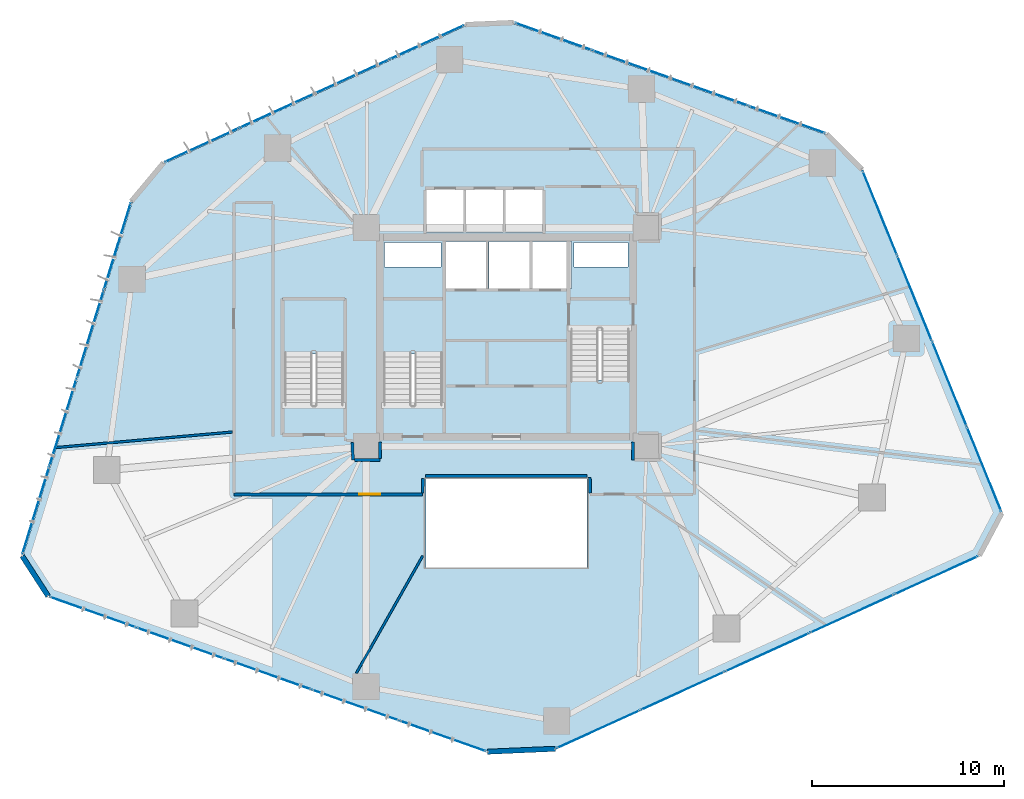
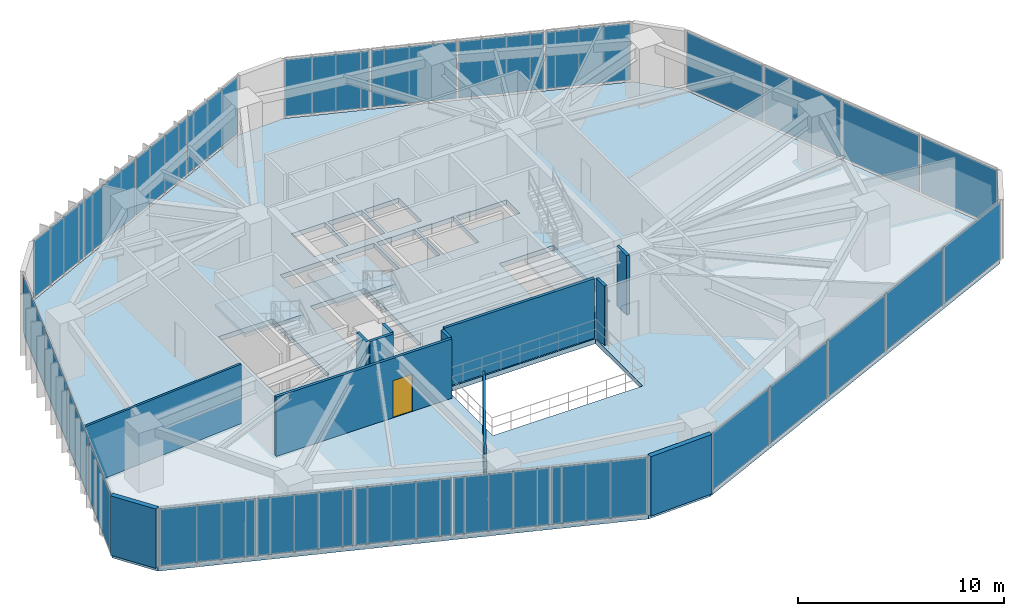
# One storey, part 18 of 24: 26 plates, 12 walls, 4 slabs, 1 door, 1 opening, 9 elements without a shape of their own.
"""IFC4 building model written with IfcOpenShell, lengths in metres."""

from ifc_helpers import new_model, si_unit, direction, frame, frame_2d, origin, origin_2d, place, context, subcontext, project, spatial, polyline, rectangle, outline, extrude, source, transform, mapped, material, layer, layer_set, type_object, type_shapes, element, fill, aggregate, save


model = new_model("IFC4")

# Units and contexts
model_context = context("Model", 3, precision=1e-05, world=origin(), true_north=direction((0.0, 1.0)))
body_context = subcontext(model_context, "Body", "Model", "MODEL_VIEW")
ifc_project = project(units=[si_unit("LENGTHUNIT", "METRE"), si_unit("AREAUNIT", "SQUARE_METRE"), si_unit("VOLUMEUNIT", "CUBIC_METRE"), si_unit("PLANEANGLEUNIT", "RADIAN"), si_unit("MASSUNIT", "GRAM", prefix="KILO")], contexts=[model_context])

# Site, building, storey
site_placement = place(None, origin())
site = spatial("IfcSite", under=ifc_project, at=site_placement, CompositionType="ELEMENT")
building_placement = place(site_placement, origin())
building = spatial("IfcBuilding", under=site, at=building_placement, Name="Talar Marvaseh", CompositionType="ELEMENT")
storey_placement = place(building_placement, frame((0.0, 0.0, 31.60009765625)))
storey = spatial("IfcBuildingStorey", under=building, at=storey_placement, Name="L07", CompositionType="ELEMENT", Elevation=31.60009765625)

# Stair, slab
ifc_material_1 = material(Name="Concrete C40/50", Category="concrete")
stair_type = type_object("IfcStairType", Name="Reinforced Concrete Half-Turn Exit Stair Type B", PredefinedType="HALF_TURN_STAIR", material=ifc_material_1)
stair_1_placement = place(storey_placement, origin())
stair_1 = element("IfcStair", 1, at=stair_1_placement, inside=storey, type_object=stair_type, Name="L07 Tower West Core Exit Stair", PredefinedType="HALF_TURN_STAIR")
ifc_layer_1 = layer(ifc_material_1, 0.199951171875)
ifc_layer_set_1 = layer_set([ifc_layer_1], Name="Concrete C40/50")
slab_type_1 = type_object("IfcSlabType", Name="Reinforced Concrete Stair Half-Landing Slab 200", PredefinedType="LANDING", material=ifc_layer_set_1)
slab_1_placement = place(storey_placement, frame((0.0, 0.0, 1.699951171875)))
slab_1 = element("IfcSlab", 2, at=slab_1_placement, type_object=slab_type_1, Name="ST-1 landing 1", PredefinedType="LANDING", context=body_context, shape_type="SweptSolid", body=[
    extrude(outline(polyline([(22.780029296875, 30.330078125), (22.780029296875, 33.219970703125), (19.47998046875, 33.219970703125), (19.47998046875, 30.330078125), (22.780029296875, 30.330078125)])), origin(), (0.0, 0.0, 1.0), 0.199951171875),
])
aggregate(stair_1, [slab_1])

stair_2_placement = place(storey_placement, origin())
stair_2 = element("IfcStair", 3, at=stair_2_placement, inside=storey, type_object=stair_type, Name="L07 Tower East Core Exit Stair", PredefinedType="HALF_TURN_STAIR")
slab_2_placement = place(storey_placement, frame((0.0, 0.0, 1.699951171875)))
slab_2 = element("IfcSlab", 4, at=slab_2_placement, type_object=slab_type_1, Name="ST-2 landing 1", PredefinedType="LANDING", context=body_context, shape_type="SweptSolid", body=[
    extrude(outline(polyline([(29.219970703125, 28.969970703125), (29.219970703125, 26.080078125), (32.52001953125, 26.080078125), (32.52001953125, 28.969970703125), (29.219970703125, 28.969970703125)])), origin(), (0.0, 0.0, 1.0), 0.199951171875),
])
aggregate(stair_2, [slab_2])

stair_3_placement = place(storey_placement, origin())
stair_3 = element("IfcStair", 5, at=stair_3_placement, inside=storey, type_object=stair_type, Name="L07 Museum & Podium Auxiliary Exit Stair", PredefinedType="HALF_TURN_STAIR")
slab_3_placement = place(storey_placement, frame((0.0, 0.0, 1.699951171875)))
slab_3 = element("IfcSlab", 6, at=slab_3_placement, type_object=slab_type_1, Name="ST-3 landing 1", PredefinedType="LANDING", context=body_context, shape_type="SweptSolid", body=[
    extrude(outline(polyline([(17.6201171875, 30.330078125), (17.6201171875, 33.219970703125), (14.320068359375, 33.219970703125), (14.320068359375, 30.330078125), (17.6201171875, 30.330078125)])), origin(), (0.0, 0.0, 1.0), 0.199951171875),
])
aggregate(stair_3, [slab_3])

# Slab
ifc_layer_2 = layer(ifc_material_1, 0.280029296875)
ifc_layer_set_2 = layer_set([ifc_layer_2], Name="Concrete C40/50")
slab_type_2 = type_object("IfcSlabType", Name="Structural Suspended Floor Slab 280", PredefinedType="FLOOR", material=ifc_layer_set_2)
slab_4_placement = place(storey_placement, frame((0.0, 0.0, -0.280029296875)))
element("IfcSlab", 7, at=slab_4_placement, inside=storey, type_object=slab_type_2, Name="L07 Tower Floor Slab", PredefinedType="FLOOR", context=body_context, shape_type="SweptSolid", body=[
    extrude(outline(polyline([(2.171142578125, 17.7373046875), (0.82080078125, 19.822509765625), (6.50341796875, 38.231689453125), (8.18505859375, 40.2451171875), (23.87109375, 47.416015625), (26.385009765625, 47.52587890625), (42.63623046875, 41.749267578125), (44.487060546875, 39.89013671875), (51.75244140625, 22.046142578125), (50.589111328125, 19.851318359375), (28.5419921875, 9.80810546875), (25.009521484375, 9.65380859375), (2.171142578125, 17.7373046875)]), holes=[polyline([(22.659912109375, 27.64990234375), (22.659912109375, 33.10009765625), (19.60009765625, 33.10009765625), (19.60009765625, 27.64990234375), (22.659912109375, 27.64990234375)]), polyline([(29.340087890625, 31.64990234375), (29.340087890625, 26.199951171875), (32.39990234375, 26.199951171875), (32.39990234375, 31.64990234375), (29.340087890625, 31.64990234375)]), polyline([(17.5, 27.64990234375), (17.5, 33.10009765625), (14.43994140625, 33.10009765625), (14.43994140625, 27.64990234375), (17.5, 27.64990234375)]), polyline([(22.800048828125, 33.719970703125), (24.93994140625, 33.719970703125), (24.93994140625, 36.179931640625), (22.800048828125, 36.179931640625), (22.800048828125, 33.719970703125)]), polyline([(25.080078125, 33.719970703125), (27.219970703125, 33.719970703125), (27.219970703125, 36.179931640625), (25.080078125, 36.179931640625), (25.080078125, 33.719970703125)]), polyline([(27.360107421875, 33.719970703125), (29.39990234375, 33.719970703125), (29.39990234375, 36.179931640625), (27.360107421875, 36.179931640625), (27.360107421875, 33.719970703125)]), polyline([(21.840087890625, 36.659912109375), (23.760009765625, 36.659912109375), (23.760009765625, 38.8798828125), (21.840087890625, 38.8798828125), (21.840087890625, 36.659912109375)]), polyline([(23.89990234375, 36.659912109375), (25.820068359375, 36.659912109375), (25.820068359375, 38.8798828125), (23.89990234375, 38.8798828125), (23.89990234375, 36.659912109375)]), polyline([(25.9599609375, 36.659912109375), (27.8798828125, 36.659912109375), (27.8798828125, 38.8798828125), (25.9599609375, 38.8798828125), (25.9599609375, 36.659912109375)]), polyline([(19.659912109375, 34.840087890625), (22.60009765625, 34.840087890625), (22.60009765625, 36.139892578125), (19.659912109375, 36.139892578125), (19.659912109375, 34.840087890625)]), polyline([(29.52001953125, 34.840087890625), (32.340087890625, 34.840087890625), (32.340087890625, 36.139892578125), (29.52001953125, 36.139892578125), (29.52001953125, 34.840087890625)]), polyline([(21.800048828125, 19.199951171875), (30.199951171875, 19.199951171875), (30.199951171875, 23.800048828125), (21.800048828125, 23.800048828125), (21.800048828125, 19.199951171875)])]), origin(), (0.0, 0.0, 1.0), 0.280029296875),
])

# Curtain wall, plates
ifc_material_2 = material(Name="Architectural Aluminium", Category="aluminium")
ifc_layer_3 = layer(ifc_material_2, 0.219970703125)
ifc_layer_set_3 = layer_set([ifc_layer_3], Name="Architectural Aluminium")
curtain_wall_type = type_object("IfcCurtainWallType", Name="Unitised Low-E Museum Curtain Wall Z1", PredefinedType="NOTDEFINED", material=ifc_layer_set_3)
curtain_wall_1_placement = place(storey_placement, origin())
curtain_wall_1 = element("IfcCurtainWall", 8, at=curtain_wall_1_placement, inside=storey, type_object=curtain_wall_type, Name="L07 Unitised Low-E Museum Curtain Wall Z1", PredefinedType="NOTDEFINED")
ifc_material_3 = material(Name="Laminated Low-E Solar Glass", Category="glass")
ifc_layer_4 = layer(ifc_material_3, 0.028076171875)
ifc_layer_set_4 = layer_set([ifc_layer_4], Name="Laminated Low-E Solar Glass")
plate_type = type_object("IfcPlateType", Name="Double-Glazed Low-E Vision Curtain Panel 28", PredefinedType="CURTAIN_PANEL", material=ifc_layer_set_4)
shared_shape_1 = source(origin(), body_context, "Body", "SweptSolid", [
    extrude(rectangle(XDim=4.696533203125, YDim=0.028076171875, at=origin_2d()), origin(), (0.0, 0.0, 1.0), 3.3701171875),
])
plate_1_placement = place(storey_placement, frame((1.479736328125, 22.160400390625, 0.074951171875), z_axis=(0.0, 0.0, 1.0), x_axis=(0.294937738677, 0.955516473068, 0.0)))
plate_1 = element("IfcPlate", 9, at=plate_1_placement, type_object=plate_type, Name="CW-Z1 panel 1.1", PredefinedType="CURTAIN_PANEL", context=body_context, shape_type="MappedRepresentation", body=[
    mapped(shared_shape_1, transform((0.0, 0.0, 0.0), x_axis=(1.0, 0.0, 0.0), y_axis=(0.0, 1.0, 0.0), z_axis=(0.0, 0.0, 1.0), scale=1.0)),
])
plate_2_placement = place(storey_placement, frame((5.729736328125, 35.92919921875, 0.074951171875), z_axis=(0.0, 0.0, 1.0), x_axis=(0.294937738677, 0.955516473068, 0.0)))
plate_2 = element("IfcPlate", 10, at=plate_2_placement, type_object=plate_type, Name="CW-Z1 panel 4.1", PredefinedType="CURTAIN_PANEL", context=body_context, shape_type="MappedRepresentation", body=[
    mapped(shared_shape_1, transform((0.0, 0.0, 0.0), x_axis=(1.0, 0.0, 0.0), y_axis=(0.0, 1.0, 0.0), z_axis=(0.0, 0.0, 1.0), scale=1.0)),
])

curtain_wall_2_placement = place(storey_placement, origin())
curtain_wall_2 = element("IfcCurtainWall", 11, at=curtain_wall_2_placement, inside=storey, type_object=curtain_wall_type, Name="L07 Unitised Low-E Museum Curtain Wall Z1", PredefinedType="NOTDEFINED")
plate_3_placement = place(storey_placement, frame((45.45849609375, 37.663818359375, 0.074951171875), z_axis=(0.0, 0.0, 1.0), x_axis=(0.377095736428, -0.926174284661, 0.0)))
plate_3 = element("IfcPlate", 12, at=plate_3_placement, type_object=plate_type, Name="CW-Z1 panel 1.1", PredefinedType="CURTAIN_PANEL", context=body_context, shape_type="MappedRepresentation", body=[
    mapped(shared_shape_1, transform((0.0, 0.0, 0.0), x_axis=(1.0, 0.0, 0.0), y_axis=(0.0, 1.0, 0.0), z_axis=(0.0, 0.0, 1.0), scale=1.0)),
])
plate_4_placement = place(storey_placement, frame((50.892333984375, 24.317626953125, 0.074951171875), z_axis=(0.0, 0.0, 1.0), x_axis=(0.377095736428, -0.926174284661, 0.0)))
plate_4 = element("IfcPlate", 13, at=plate_4_placement, type_object=plate_type, Name="CW-Z1 panel 4.1", PredefinedType="CURTAIN_PANEL", context=body_context, shape_type="MappedRepresentation", body=[
    mapped(shared_shape_1, transform((0.0, 0.0, 0.0), x_axis=(1.0, 0.0, 0.0), y_axis=(0.0, 1.0, 0.0), z_axis=(0.0, 0.0, 1.0), scale=1.0)),
])

# Plate
shared_shape_2 = source(origin(), body_context, "Body", "SweptSolid", [
    extrude(rectangle(XDim=4.736572265625, YDim=0.028076171875, at=origin_2d()), origin(), (0.0, 0.0, 1.0), 3.3701171875),
])
plate_5_placement = place(storey_placement, frame((2.89453125, 26.74365234375, 0.074951171875), z_axis=(0.0, 0.0, 1.0), x_axis=(0.294937738677, 0.955516473068, 0.0)))
plate_5 = element("IfcPlate", 14, at=plate_5_placement, type_object=plate_type, Name="CW-Z1 panel 2.1", PredefinedType="CURTAIN_PANEL", context=body_context, shape_type="MappedRepresentation", body=[
    mapped(shared_shape_2, transform((0.0, 0.0, 0.0), x_axis=(1.0, 0.0, 0.0), y_axis=(0.0, 1.0, 0.0), z_axis=(0.0, 0.0, 1.0), scale=1.0)),
])

plate_6_placement = place(storey_placement, frame((4.315185546875, 31.345947265625, 0.074951171875), z_axis=(0.0, 0.0, 1.0), x_axis=(0.294937738677, 0.955516473068, 0.0)))
plate_6 = element("IfcPlate", 15, at=plate_6_placement, type_object=plate_type, Name="CW-Z1 panel 3.1", PredefinedType="CURTAIN_PANEL", context=body_context, shape_type="MappedRepresentation", body=[
    mapped(shared_shape_2, transform((0.0, 0.0, 0.0), x_axis=(1.0, 0.0, 0.0), y_axis=(0.0, 1.0, 0.0), z_axis=(0.0, 0.0, 1.0), scale=1.0)),
])

aggregate(curtain_wall_1, [plate_1, plate_5, plate_6, plate_2])

plate_7_placement = place(storey_placement, frame((47.26708984375, 33.22119140625, 0.074951171875), z_axis=(0.0, 0.0, 1.0), x_axis=(0.377095736428, -0.926174284661, 0.0)))
plate_7 = element("IfcPlate", 16, at=plate_7_placement, type_object=plate_type, Name="CW-Z1 panel 2.1", PredefinedType="CURTAIN_PANEL", context=body_context, shape_type="MappedRepresentation", body=[
    mapped(shared_shape_2, transform((0.0, 0.0, 0.0), x_axis=(1.0, 0.0, 0.0), y_axis=(0.0, 1.0, 0.0), z_axis=(0.0, 0.0, 1.0), scale=1.0)),
])

plate_8_placement = place(storey_placement, frame((49.08349609375, 28.76025390625, 0.074951171875), z_axis=(0.0, 0.0, 1.0), x_axis=(0.377095736428, -0.926174284661, 0.0)))
plate_8 = element("IfcPlate", 17, at=plate_8_placement, type_object=plate_type, Name="CW-Z1 panel 3.1", PredefinedType="CURTAIN_PANEL", context=body_context, shape_type="MappedRepresentation", body=[
    mapped(shared_shape_2, transform((0.0, 0.0, 0.0), x_axis=(1.0, 0.0, 0.0), y_axis=(0.0, 1.0, 0.0), z_axis=(0.0, 0.0, 1.0), scale=1.0)),
])

aggregate(curtain_wall_2, [plate_3, plate_7, plate_8, plate_4])

# Curtain wall, plates
curtain_wall_3_placement = place(storey_placement, origin())
curtain_wall_3 = element("IfcCurtainWall", 18, at=curtain_wall_3_placement, inside=storey, type_object=curtain_wall_type, Name="L07 Unitised Low-E Museum Curtain Wall Z1", PredefinedType="NOTDEFINED")
shared_shape_3 = source(origin(), body_context, "Body", "SweptSolid", [
    extrude(rectangle(XDim=4.19189453125, YDim=0.028076171875, at=origin_2d()), origin(), (0.0, 0.0, 1.0), 3.3701171875),
])
plate_9_placement = place(storey_placement, frame((10.13916015625, 41.204345703125, 0.074951171875), z_axis=(0.0, 0.0, 1.0), x_axis=(0.909469840313, 0.415769899778, 0.0)))
plate_9 = element("IfcPlate", 19, at=plate_9_placement, type_object=plate_type, Name="CW-Z1 panel 1.1", PredefinedType="CURTAIN_PANEL", context=body_context, shape_type="MappedRepresentation", body=[
    mapped(shared_shape_3, transform((0.0, 0.0, 0.0), x_axis=(1.0, 0.0, 0.0), y_axis=(0.0, 1.0, 0.0), z_axis=(0.0, 0.0, 1.0), scale=1.0)),
])
plate_10_placement = place(storey_placement, frame((21.867431640625, 46.56591796875, 0.074951171875), z_axis=(0.0, 0.0, 1.0), x_axis=(0.909469840313, 0.415769899778, 0.0)))
plate_10 = element("IfcPlate", 20, at=plate_10_placement, type_object=plate_type, Name="CW-Z1 panel 4.1", PredefinedType="CURTAIN_PANEL", context=body_context, shape_type="MappedRepresentation", body=[
    mapped(shared_shape_3, transform((0.0, 0.0, 0.0), x_axis=(1.0, 0.0, 0.0), y_axis=(0.0, 1.0, 0.0), z_axis=(0.0, 0.0, 1.0), scale=1.0)),
])

curtain_wall_4_placement = place(storey_placement, origin())
curtain_wall_4 = element("IfcCurtainWall", 21, at=curtain_wall_4_placement, inside=storey, type_object=curtain_wall_type, Name="L07 Unitised Low-E Museum Curtain Wall Z1", PredefinedType="NOTDEFINED")
plate_11_placement = place(storey_placement, frame((28.455322265625, 46.853515625, 0.074951171875), z_axis=(0.0, 0.0, 1.0), x_axis=(0.942245351069, -0.334923421678, 0.0)))
plate_11 = element("IfcPlate", 22, at=plate_11_placement, type_object=plate_type, Name="CW-Z1 panel 1.1", PredefinedType="CURTAIN_PANEL", context=body_context, shape_type="MappedRepresentation", body=[
    mapped(shared_shape_3, transform((0.0, 0.0, 0.0), x_axis=(1.0, 0.0, 0.0), y_axis=(0.0, 1.0, 0.0), z_axis=(0.0, 0.0, 1.0), scale=1.0)),
])
plate_12_placement = place(storey_placement, frame((40.606201171875, 42.534423828125, 0.074951171875), z_axis=(0.0, 0.0, 1.0), x_axis=(0.942245351069, -0.334923421678, 0.0)))
plate_12 = element("IfcPlate", 23, at=plate_12_placement, type_object=plate_type, Name="CW-Z1 panel 4.1", PredefinedType="CURTAIN_PANEL", context=body_context, shape_type="MappedRepresentation", body=[
    mapped(shared_shape_3, transform((0.0, 0.0, 0.0), x_axis=(1.0, 0.0, 0.0), y_axis=(0.0, 1.0, 0.0), z_axis=(0.0, 0.0, 1.0), scale=1.0)),
])

# Plate
shared_shape_4 = source(origin(), body_context, "Body", "SweptSolid", [
    extrude(rectangle(XDim=4.23193359375, YDim=0.028076171875, at=origin_2d()), origin(), (0.0, 0.0, 1.0), 3.3701171875),
])
plate_13_placement = place(storey_placement, frame((14.04248046875, 42.98876953125, 0.074951171875), z_axis=(0.0, 0.0, 1.0), x_axis=(0.909469840313, 0.415769899778, 0.0)))
plate_13 = element("IfcPlate", 24, at=plate_13_placement, type_object=plate_type, Name="CW-Z1 panel 2.1", PredefinedType="CURTAIN_PANEL", context=body_context, shape_type="MappedRepresentation", body=[
    mapped(shared_shape_4, transform((0.0, 0.0, 0.0), x_axis=(1.0, 0.0, 0.0), y_axis=(0.0, 1.0, 0.0), z_axis=(0.0, 0.0, 1.0), scale=1.0)),
])

plate_14_placement = place(storey_placement, frame((17.964111328125, 44.781494140625, 0.074951171875), z_axis=(0.0, 0.0, 1.0), x_axis=(0.909469840313, 0.415769899778, 0.0)))
plate_14 = element("IfcPlate", 25, at=plate_14_placement, type_object=plate_type, Name="CW-Z1 panel 3.1", PredefinedType="CURTAIN_PANEL", context=body_context, shape_type="MappedRepresentation", body=[
    mapped(shared_shape_4, transform((0.0, 0.0, 0.0), x_axis=(1.0, 0.0, 0.0), y_axis=(0.0, 1.0, 0.0), z_axis=(0.0, 0.0, 1.0), scale=1.0)),
])

aggregate(curtain_wall_3, [plate_9, plate_13, plate_14, plate_10])

plate_15_placement = place(storey_placement, frame((32.499267578125, 45.416015625, 0.074951171875), z_axis=(0.0, 0.0, 1.0), x_axis=(0.942245351069, -0.334923421678, 0.0)))
plate_15 = element("IfcPlate", 26, at=plate_15_placement, type_object=plate_type, Name="CW-Z1 panel 2.1", PredefinedType="CURTAIN_PANEL", context=body_context, shape_type="MappedRepresentation", body=[
    mapped(shared_shape_4, transform((0.0, 0.0, 0.0), x_axis=(1.0, 0.0, 0.0), y_axis=(0.0, 1.0, 0.0), z_axis=(0.0, 0.0, 1.0), scale=1.0)),
])

plate_16_placement = place(storey_placement, frame((36.56201171875, 43.971923828125, 0.074951171875), z_axis=(0.0, 0.0, 1.0), x_axis=(0.942245351069, -0.334923421678, 0.0)))
plate_16 = element("IfcPlate", 27, at=plate_16_placement, type_object=plate_type, Name="CW-Z1 panel 3.1", PredefinedType="CURTAIN_PANEL", context=body_context, shape_type="MappedRepresentation", body=[
    mapped(shared_shape_4, transform((0.0, 0.0, 0.0), x_axis=(1.0, 0.0, 0.0), y_axis=(0.0, 1.0, 0.0), z_axis=(0.0, 0.0, 1.0), scale=1.0)),
])

aggregate(curtain_wall_4, [plate_11, plate_15, plate_16, plate_12])

# Curtain wall, plates
curtain_wall_5_placement = place(storey_placement, origin())
curtain_wall_5 = element("IfcCurtainWall", 28, at=curtain_wall_5_placement, inside=storey, type_object=curtain_wall_type, Name="L07 Unitised Low-E Museum Curtain Wall Z1", PredefinedType="NOTDEFINED")
shared_shape_5 = source(origin(), body_context, "Body", "SweptSolid", [
    extrude(rectangle(XDim=4.725341796875, YDim=0.028076171875, at=origin_2d()), origin(), (0.0, 0.0, 1.0), 3.3701171875),
])
plate_17_placement = place(storey_placement, frame((48.39111328125, 18.7841796875, 0.074951171875), z_axis=(0.0, 0.0, 1.0), x_axis=(-0.910024361486, -0.414554775033, 0.0)))
plate_17 = element("IfcPlate", 29, at=plate_17_placement, type_object=plate_type, Name="CW-Z1 panel 1.1", PredefinedType="CURTAIN_PANEL", context=body_context, shape_type="MappedRepresentation", body=[
    mapped(shared_shape_5, transform((0.0, 0.0, 0.0), x_axis=(1.0, 0.0, 0.0), y_axis=(0.0, 1.0, 0.0), z_axis=(0.0, 0.0, 1.0), scale=1.0)),
])
plate_18_placement = place(storey_placement, frame((30.789794921875, 10.76611328125, 0.074951171875), z_axis=(0.0, 0.0, 1.0), x_axis=(-0.910024361486, -0.414554775033, 0.0)))
plate_18 = element("IfcPlate", 30, at=plate_18_placement, type_object=plate_type, Name="CW-Z1 panel 5.1", PredefinedType="CURTAIN_PANEL", context=body_context, shape_type="MappedRepresentation", body=[
    mapped(shared_shape_5, transform((0.0, 0.0, 0.0), x_axis=(1.0, 0.0, 0.0), y_axis=(0.0, 1.0, 0.0), z_axis=(0.0, 0.0, 1.0), scale=1.0)),
])

curtain_wall_6_placement = place(storey_placement, origin())
curtain_wall_6 = element("IfcCurtainWall", 31, at=curtain_wall_6_placement, inside=storey, type_object=curtain_wall_type, Name="L07 Unitised Low-E Museum Curtain Wall Z1", PredefinedType="NOTDEFINED")
plate_19_placement = place(storey_placement, frame((22.686767578125, 10.412109375, 0.074951171875), z_axis=(0.0, 0.0, 1.0), x_axis=(-0.942692993526, 0.333661385174, 0.0)))
plate_19 = element("IfcPlate", 32, at=plate_19_placement, type_object=plate_type, Name="CW-Z1 panel 1.1", PredefinedType="CURTAIN_PANEL", context=body_context, shape_type="MappedRepresentation", body=[
    mapped(shared_shape_5, transform((0.0, 0.0, 0.0), x_axis=(1.0, 0.0, 0.0), y_axis=(0.0, 1.0, 0.0), z_axis=(0.0, 0.0, 1.0), scale=1.0)),
])
plate_20_placement = place(storey_placement, frame((4.453857421875, 16.86572265625, 0.074951171875), z_axis=(0.0, 0.0, 1.0), x_axis=(-0.942692993526, 0.333661385174, 0.0)))
plate_20 = element("IfcPlate", 33, at=plate_20_placement, type_object=plate_type, Name="CW-Z1 panel 5.1", PredefinedType="CURTAIN_PANEL", context=body_context, shape_type="MappedRepresentation", body=[
    mapped(shared_shape_5, transform((0.0, 0.0, 0.0), x_axis=(1.0, 0.0, 0.0), y_axis=(0.0, 1.0, 0.0), z_axis=(0.0, 0.0, 1.0), scale=1.0)),
])

# Plate
shared_shape_6 = source(origin(), body_context, "Body", "SweptSolid", [
    extrude(rectangle(XDim=4.765380859375, YDim=0.028076171875, at=origin_2d()), origin(), (0.0, 0.0, 1.0), 3.3701171875),
])
type_shapes(plate_type, [shared_shape_1, shared_shape_2, shared_shape_3, shared_shape_4, shared_shape_5, shared_shape_6])
plate_21_placement = place(storey_placement, frame((43.999755859375, 16.78369140625, 0.074951171875), z_axis=(0.0, 0.0, 1.0), x_axis=(-0.910024361486, -0.414554775033, 0.0)))
plate_21 = element("IfcPlate", 34, at=plate_21_placement, type_object=plate_type, Name="CW-Z1 panel 2.1", PredefinedType="CURTAIN_PANEL", context=body_context, shape_type="MappedRepresentation", body=[
    mapped(shared_shape_6, transform((0.0, 0.0, 0.0), x_axis=(1.0, 0.0, 0.0), y_axis=(0.0, 1.0, 0.0), z_axis=(0.0, 0.0, 1.0), scale=1.0)),
])

plate_22_placement = place(storey_placement, frame((39.59033203125, 14.775146484375, 0.074951171875), z_axis=(0.0, 0.0, 1.0), x_axis=(-0.910024361486, -0.414554775033, 0.0)))
plate_22 = element("IfcPlate", 35, at=plate_22_placement, type_object=plate_type, Name="CW-Z1 panel 3.1", PredefinedType="CURTAIN_PANEL", context=body_context, shape_type="MappedRepresentation", body=[
    mapped(shared_shape_6, transform((0.0, 0.0, 0.0), x_axis=(1.0, 0.0, 0.0), y_axis=(0.0, 1.0, 0.0), z_axis=(0.0, 0.0, 1.0), scale=1.0)),
])

plate_23_placement = place(storey_placement, frame((35.18115234375, 12.766357421875, 0.074951171875), z_axis=(0.0, 0.0, 1.0), x_axis=(-0.910024361486, -0.414554775033, 0.0)))
plate_23 = element("IfcPlate", 36, at=plate_23_placement, type_object=plate_type, Name="CW-Z1 panel 4.1", PredefinedType="CURTAIN_PANEL", context=body_context, shape_type="MappedRepresentation", body=[
    mapped(shared_shape_6, transform((0.0, 0.0, 0.0), x_axis=(1.0, 0.0, 0.0), y_axis=(0.0, 1.0, 0.0), z_axis=(0.0, 0.0, 1.0), scale=1.0)),
])

aggregate(curtain_wall_5, [plate_17, plate_21, plate_22, plate_23, plate_18])

plate_24_placement = place(storey_placement, frame((18.137939453125, 12.022216796875, 0.074951171875), z_axis=(0.0, 0.0, 1.0), x_axis=(-0.942692993526, 0.333661385174, 0.0)))
plate_24 = element("IfcPlate", 37, at=plate_24_placement, type_object=plate_type, Name="CW-Z1 panel 2.1", PredefinedType="CURTAIN_PANEL", context=body_context, shape_type="MappedRepresentation", body=[
    mapped(shared_shape_6, transform((0.0, 0.0, 0.0), x_axis=(1.0, 0.0, 0.0), y_axis=(0.0, 1.0, 0.0), z_axis=(0.0, 0.0, 1.0), scale=1.0)),
])

plate_25_placement = place(storey_placement, frame((13.5703125, 13.638916015625, 0.074951171875), z_axis=(0.0, 0.0, 1.0), x_axis=(-0.942692993526, 0.333661385174, 0.0)))
plate_25 = element("IfcPlate", 38, at=plate_25_placement, type_object=plate_type, Name="CW-Z1 panel 3.1", PredefinedType="CURTAIN_PANEL", context=body_context, shape_type="MappedRepresentation", body=[
    mapped(shared_shape_6, transform((0.0, 0.0, 0.0), x_axis=(1.0, 0.0, 0.0), y_axis=(0.0, 1.0, 0.0), z_axis=(0.0, 0.0, 1.0), scale=1.0)),
])

plate_26_placement = place(storey_placement, frame((9.002685546875, 15.255615234375, 0.074951171875), z_axis=(0.0, 0.0, 1.0), x_axis=(-0.942692993526, 0.333661385174, 0.0)))
plate_26 = element("IfcPlate", 39, at=plate_26_placement, type_object=plate_type, Name="CW-Z1 panel 4.1", PredefinedType="CURTAIN_PANEL", context=body_context, shape_type="MappedRepresentation", body=[
    mapped(shared_shape_6, transform((0.0, 0.0, 0.0), x_axis=(1.0, 0.0, 0.0), y_axis=(0.0, 1.0, 0.0), z_axis=(0.0, 0.0, 1.0), scale=1.0)),
])

aggregate(curtain_wall_6, [plate_19, plate_24, plate_25, plate_26, plate_20])

# Walls
ifc_material_4 = material(Name="Precast concrete C45/55", Category="concrete")
ifc_layer_5 = layer(ifc_material_4, 0.27001953125)
ifc_layer_set_5 = layer_set([ifc_layer_5], Name="Precast concrete C45/55")
wall_type_1 = type_object("IfcWallType", Name="Chamfered Hexagonal Corner Pier Wall Z1 270", PredefinedType="SOLIDWALL", material=ifc_layer_set_5)
wall_1_placement = place(storey_placement, frame((2.120849609375, 17.70458984375, 0.0), z_axis=(0.0, 0.0, 1.0), x_axis=(-0.543560928382, 0.839369714212, 0.0)))
element("IfcWall", 40, at=wall_1_placement, inside=storey, type_object=wall_type_1, Name="L07 Chamfered Corner Limestone Pier 1", PredefinedType="SOLIDWALL", context=body_context, shape_type="SweptSolid", body=[
    extrude(rectangle(XDim=2.484130859375, YDim=0.27001953125, at=frame_2d((1.2421875, 0.0))), origin(), (0.0, 0.0, 1.0), 3.52001953125),
])
wall_2_placement = place(storey_placement, frame((28.544677734375, 9.748046875, 0.0), z_axis=(0.0, 0.0, 1.0), x_axis=(-0.999050417398, -0.043569065822, 0.0)))
element("IfcWall", 41, at=wall_2_placement, inside=storey, type_object=wall_type_1, Name="L07 Chamfered Corner Limestone Pier 6", PredefinedType="SOLIDWALL", context=body_context, shape_type="SweptSolid", body=[
    extrude(rectangle(XDim=3.535888671875, YDim=0.27001953125, at=frame_2d((1.76806640625, 0.0))), origin(), (0.0, 0.0, 1.0), 3.52001953125),
])

# Wall, opening, door
ifc_material_5 = material(Name="Gypsum Board Partition Assembly")
ifc_layer_6 = layer(ifc_material_5, 0.155029296875)
ifc_layer_set_6 = layer_set([ifc_layer_6], Name="Gypsum Board Partition Assembly")
wall_type_2 = type_object("IfcWallType", Name="Corridor Fire-Rated Acoustic Partition 155", PredefinedType="PARTITIONING", material=ifc_layer_set_6)
wall_3_placement = place(storey_placement, frame((21.639892578125, 23.0, 0.0), z_axis=(0.0, 0.0, 1.0), x_axis=(-1.0, 0.0, 0.0)))
wall_3 = element("IfcWall", 42, at=wall_3_placement, inside=storey, type_object=wall_type_2, Name="L07 Interior Partition Wall", PredefinedType="PARTITIONING", context=body_context, shape_type="SweptSolid", body=[
    extrude(rectangle(XDim=9.83984375, YDim=0.155029296875, at=frame_2d((4.919921875, 0.0))), origin(), (0.0, 0.0, 1.0), 3.52001953125),
])
opening_placement = place(wall_3_placement, frame((2.205078125, 0.0, 0.0)))
opening = element("IfcOpeningElement", 43, at=opening_placement, cuts=wall_3, Name="Opening DR-RM110", PredefinedType="OPENING", context=body_context, shape_type="SweptSolid", body=[
    extrude(rectangle(XDim=1.10009765625, YDim=2.199951171875, at=frame_2d((0.550048828125, 1.10009765625))), frame((0.0, 0.08740234375, 0.0), z_axis=(0.0, -1.0, 0.0), x_axis=(1.0, 0.0, 0.0)), (0.0, 0.0, 1.0), 0.175048828125),
])
ifc_material_6 = material(Name="Acoustic Engineered Oak Timber", Category="wood")
door_type = type_object("IfcDoorType", Name="Assembly and Reading Hall Door 1100x2200", OperationType="NOTDEFINED", PredefinedType="DOOR", material=ifc_material_6)
shared_shape_7 = source(origin(), body_context, "Body", "SweptSolid", [
    extrude(rectangle(XDim=1.10009765625, YDim=2.199951171875, at=frame_2d((0.550048828125, 1.10009765625))), frame((0.0, 0.02490234375, 0.0), z_axis=(0.0, -1.0, 0.0), x_axis=(1.0, 0.0, 0.0)), (0.0, 0.0, 1.0), 0.050048828125),
])
type_shapes(door_type, [shared_shape_7])
door_placement = place(opening_placement, origin())
door = element("IfcDoor", 44, at=door_placement, inside=storey, type_object=door_type, Name="L07 Exhibition Gallery Door", OperationType="SINGLE_SWING_RIGHT", OverallHeight=2.199951171875, OverallWidth=1.10009765625, PredefinedType="DOOR", context=body_context, shape_type="MappedRepresentation", body=[
    mapped(shared_shape_7, transform((0.0, 0.0, 0.0), x_axis=(1.0, 0.0, 0.0), y_axis=(0.0, 1.0, 0.0), z_axis=(0.0, 0.0, 1.0), scale=1.0)),
])
fill(opening, door)

# Walls
wall_4_placement = place(storey_placement, frame((30.199951171875, 23.9599609375, 0.0), z_axis=(0.0, 0.0, 1.0), x_axis=(-0.999999996213, -8.7029677e-05, 0.0)))
element("IfcWall", 45, at=wall_4_placement, inside=storey, type_object=wall_type_2, Name="L07 Interior Partition Wall", PredefinedType="PARTITIONING", context=body_context, shape_type="SweptSolid", body=[
    extrude(rectangle(XDim=8.415771484375, YDim=0.155029296875, at=frame_2d((4.2080078125, 0.0))), origin(), (0.0, 0.0, 1.0), 3.52001953125),
])
wall_5_placement = place(storey_placement, frame((21.64306640625, 23.831298828125, 0.0), z_axis=(0.0, 0.0, 1.0), x_axis=(-0.00359122725, -0.999993551523, 0.0)))
element("IfcWall", 46, at=wall_5_placement, inside=storey, type_object=wall_type_2, Name="L07 Interior Partition Wall", PredefinedType="PARTITIONING", context=body_context, shape_type="SweptSolid", body=[
    extrude(rectangle(XDim=0.747802734375, YDim=0.155029296875, at=frame_2d((0.3740234375, 0.0))), origin(), (0.0, 0.0, 1.0), 3.52001953125),
])
wall_6_placement = place(storey_placement, frame((17.986083984375, 25.716552734375, 0.0), z_axis=(0.0, 0.0, 1.0), x_axis=(0.013367088724, -0.999910656478, 0.0)))
element("IfcWall", 47, at=wall_6_placement, inside=storey, type_object=wall_type_2, Name="L07 Interior Partition Wall", PredefinedType="PARTITIONING", context=body_context, shape_type="SweptSolid", body=[
    extrude(rectangle(XDim=0.931396484375, YDim=0.155029296875, at=frame_2d((0.4658203125, 0.0))), origin(), (0.0, 0.0, 1.0), 3.52001953125),
])
wall_7_placement = place(storey_placement, frame((18.08203125, 24.78515625, 0.0), z_axis=(0.0, 0.0, 1.0), x_axis=(0.99999830547, 0.001840939443, 0.0)))
element("IfcWall", 48, at=wall_7_placement, inside=storey, type_object=wall_type_2, Name="L07 Interior Partition Wall", PredefinedType="PARTITIONING", context=body_context, shape_type="SweptSolid", body=[
    extrude(rectangle(XDim=1.326171875, YDim=0.155029296875, at=frame_2d((0.6630859375, 0.0))), origin(), (0.0, 0.0, 1.0), 3.52001953125),
])
wall_8_placement = place(storey_placement, frame((19.408935546875, 24.87109375, 0.0), z_axis=(0.0, 0.0, 1.0), x_axis=(0.007106130977, 0.999974751133, 0.0)))
element("IfcWall", 49, at=wall_8_placement, inside=storey, type_object=wall_type_2, Name="L07 Interior Partition Wall", PredefinedType="PARTITIONING", context=body_context, shape_type="SweptSolid", body=[
    extrude(rectangle(XDim=0.85888671875, YDim=0.155029296875, at=frame_2d((0.429443359375, 0.0))), origin(), (0.0, 0.0, 1.0), 3.52001953125),
])
wall_9_placement = place(storey_placement, frame((32.5849609375, 25.72998046875, 0.0), z_axis=(0.0, 0.0, 1.0), x_axis=(0.007253695172, -0.999973691607, 0.0)))
element("IfcWall", 50, at=wall_9_placement, inside=storey, type_object=wall_type_2, Name="L07 Interior Partition Wall", PredefinedType="PARTITIONING", context=body_context, shape_type="SweptSolid", body=[
    extrude(rectangle(XDim=0.9423828125, YDim=0.155029296875, at=frame_2d((0.47119140625, 0.0))), origin(), (0.0, 0.0, 1.0), 3.52001953125),
])
wall_10_placement = place(storey_placement, frame((30.358154296875, 23.08349609375, 0.0), z_axis=(0.0, 0.0, 1.0), x_axis=(-0.021573276475, 0.999767269789, 0.0)))
element("IfcWall", 51, at=wall_10_placement, inside=storey, type_object=wall_type_2, Name="L07 Interior Partition Wall", PredefinedType="PARTITIONING", context=body_context, shape_type="SweptSolid", body=[
    extrude(rectangle(XDim=0.792236328125, YDim=0.155029296875, at=frame_2d((0.39599609375, 0.0))), origin(), (0.0, 0.0, 1.0), 3.52001953125),
])
ifc_layer_7 = layer(ifc_material_5, 0.1201171875)
ifc_layer_set_7 = layer_set([ifc_layer_7], Name="Gypsum Board Partition Assembly")
wall_type_3 = type_object("IfcWallType", Name="Demountable Studio Room Partition 120", PredefinedType="PARTITIONING", material=ifc_layer_set_7)
wall_11_placement = place(storey_placement, frame((21.639892578125, 19.800048828125, 0.0), z_axis=(0.0, 0.0, 1.0), x_axis=(-0.492750244741, -0.870170785713, 0.0)))
element("IfcWall", 52, at=wall_11_placement, inside=storey, type_object=wall_type_3, Name="L07 Interior Partition Wall", PredefinedType="PARTITIONING", context=body_context, shape_type="SweptSolid", body=[
    extrude(rectangle(XDim=7.021728515625, YDim=0.1201171875, at=frame_2d((3.5107421875, 0.0))), origin(), (0.0, 0.0, 1.0), 3.52001953125),
])
wall_12_placement = place(storey_placement, frame((2.517333984375, 25.443115234375, 0.0), z_axis=(0.0, 0.0, 1.0), x_axis=(0.996149459686, 0.087671283591, 0.0)))
element("IfcWall", 53, at=wall_12_placement, inside=storey, type_object=wall_type_3, Name="L07 Interior Partition Wall", PredefinedType="PARTITIONING", context=body_context, shape_type="SweptSolid", body=[
    extrude(rectangle(XDim=9.253662109375, YDim=0.1201171875, at=frame_2d((4.626953125, 0.0))), origin(), (0.0, 0.0, 1.0), 3.52001953125),
])

save(model, "model.ifc")
